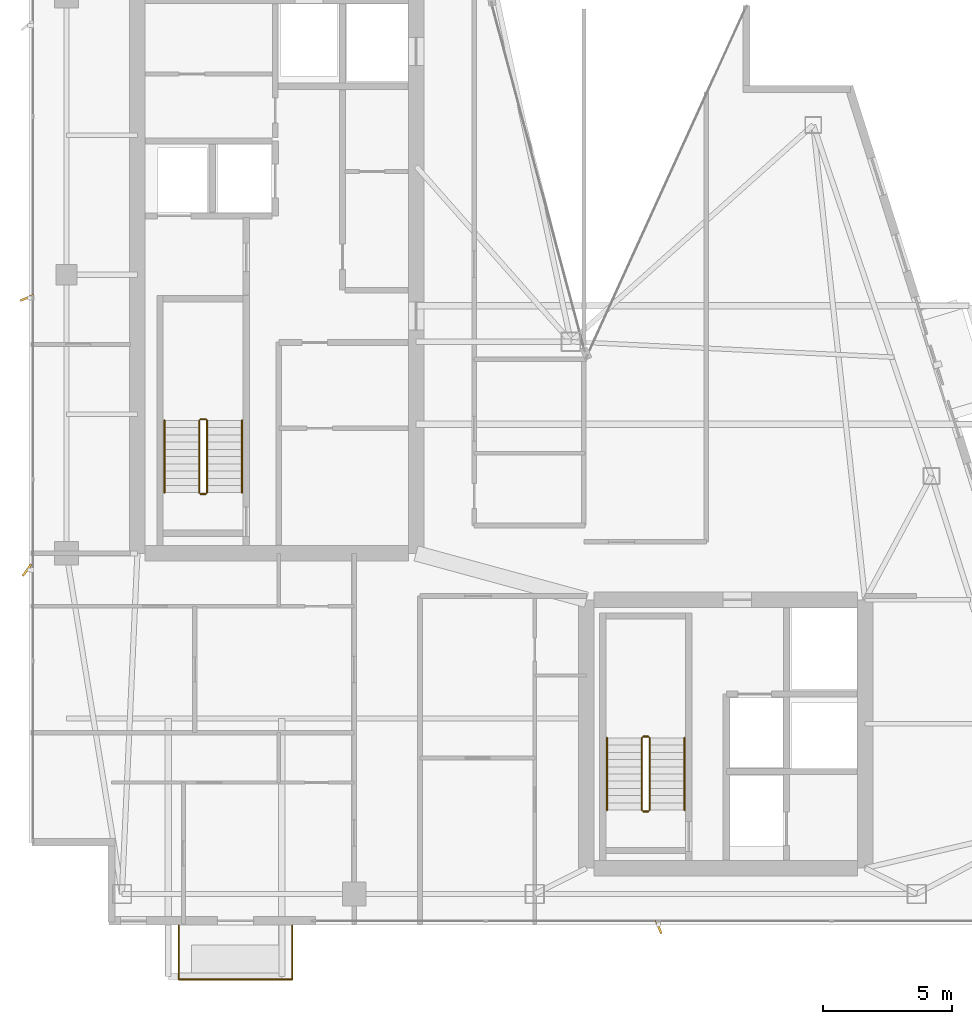
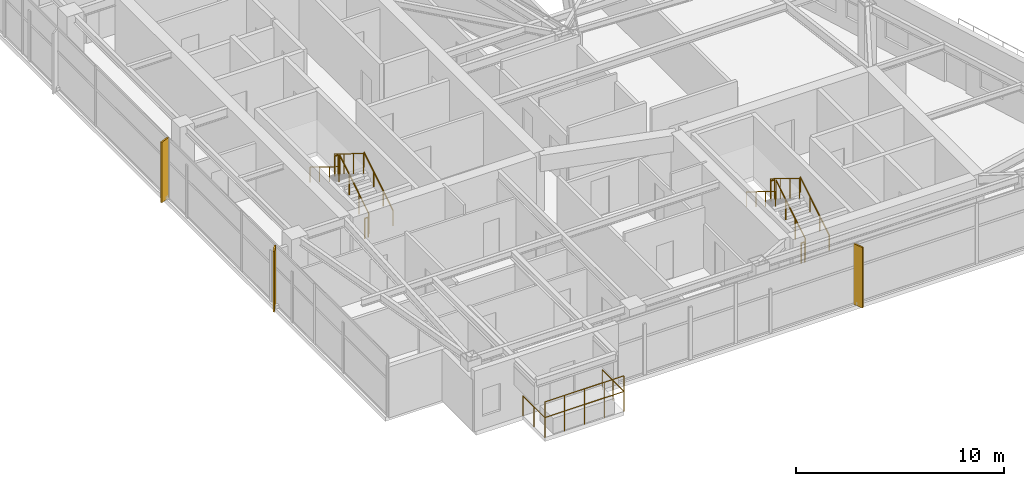
# One storey, part 26 of 27: 14 railings, 3 shading devices.
"""IFC4 building model written with IfcOpenShell, lengths in metres."""

from ifc_helpers import new_model, si_unit, direction, frame, origin, origin_2d, place, context, subcontext, project, spatial, rectangle, circle, extrude, material, type_object, element, save


model = new_model("IFC4")

# Units and contexts
model_context = context("Model", 3, precision=1e-05, world=origin(), true_north=direction((0.0, 1.0)))
body_context = subcontext(model_context, "Body", "Model", "MODEL_VIEW")
ifc_project = project(units=[si_unit("LENGTHUNIT", "METRE"), si_unit("AREAUNIT", "SQUARE_METRE"), si_unit("VOLUMEUNIT", "CUBIC_METRE"), si_unit("PLANEANGLEUNIT", "RADIAN"), si_unit("MASSUNIT", "GRAM", prefix="KILO")], contexts=[model_context])

# Site, building, storey
site_placement = place(None, origin())
site = spatial("IfcSite", under=ifc_project, at=site_placement, CompositionType="ELEMENT")
building_placement = place(site_placement, origin())
building = spatial("IfcBuilding", under=site, at=building_placement, Name="Calvorn Quay Hotel", CompositionType="ELEMENT")
storey_placement = place(building_placement, frame((0.0, 0.0, 298.699951171875)))
storey = spatial("IfcBuildingStorey", under=building, at=storey_placement, Name="L74", CompositionType="ELEMENT", Elevation=298.699951171875)

# Railings
ifc_material_1 = material(Name="Pale Anodised Aluminium and Laminated Glass", Category="aluminium")
railing_type_1 = type_object("IfcRailingType", Name="RLG-BALUSTRADE-1200", PredefinedType="BALUSTRADE", material=ifc_material_1)
railing_1_placement = place(storey_placement, frame((5.800048828125, 2.389892578125, 0.0)))
element("IfcRailing", 1, at=railing_1_placement, inside=storey, type_object=railing_type_1, Name="Tree Balcony Perimeter Balustrade L74-BALC-S", PredefinedType="BALUSTRADE", context=body_context, shape_type="SweptSolid", body=[
    extrude(circle(Radius=0.02392578125, at=origin_2d()), frame((0.0, 0.0, 1.17578125), z_axis=(0.0, -1.0, 0.0), x_axis=(1.0, 0.0, 0.0)), (0.0, 0.0, 1.0), 2.099853515625),
    extrude(circle(Radius=0.02392578125, at=origin_2d()), frame((0.0, -2.099853515625, 1.17578125), z_axis=(1.0, 0.0, 0.0), x_axis=(0.0, 1.0, 0.0)), (0.0, 0.0, 1.0), 4.39990234375),
    extrude(circle(Radius=0.02392578125, at=origin_2d()), frame((4.39990234375, -2.099853515625, 1.17578125), z_axis=(0.0, 1.0, 0.0), x_axis=(-1.0, 0.0, 0.0)), (0.0, 0.0, 1.0), 2.099853515625),
    extrude(circle(Radius=0.02099609375, at=origin_2d()), origin(), (0.0, 0.0, 1.0), 1.15185546875),
    extrude(circle(Radius=0.02099609375, at=origin_2d()), frame((0.0, -1.0498046875, 0.0)), (0.0, 0.0, 1.0), 1.15185546875),
    extrude(circle(Radius=0.02099609375, at=origin_2d()), frame((0.0, -2.099853515625, 0.0)), (0.0, 0.0, 1.0), 1.15185546875),
    extrude(circle(Radius=0.02099609375, at=origin_2d()), frame((1.10009765625, -2.099853515625, 0.0)), (0.0, 0.0, 1.0), 1.15185546875),
    extrude(circle(Radius=0.02099609375, at=origin_2d()), frame((2.199951171875, -2.099853515625, 0.0)), (0.0, 0.0, 1.0), 1.15185546875),
    extrude(circle(Radius=0.02099609375, at=origin_2d()), frame((3.2998046875, -2.099853515625, 0.0)), (0.0, 0.0, 1.0), 1.15185546875),
    extrude(circle(Radius=0.02099609375, at=origin_2d()), frame((4.39990234375, -2.099853515625, 0.0)), (0.0, 0.0, 1.0), 1.15185546875),
    extrude(circle(Radius=0.02099609375, at=origin_2d()), frame((4.39990234375, -1.0498046875, 0.0)), (0.0, 0.0, 1.0), 1.15185546875),
    extrude(circle(Radius=0.02099609375, at=origin_2d()), frame((4.39990234375, 0.0, 0.0)), (0.0, 0.0, 1.0), 1.15185546875),
])
railing_2_placement = place(storey_placement, frame((5.800048828125, 0.2900390625, 0.900146484375)))
element("IfcRailing", 2, at=railing_2_placement, inside=storey, type_object=railing_type_1, Name="Planter Kerb High Safety Screen L74-BALC-S", PredefinedType="BALUSTRADE", context=body_context, shape_type="SweptSolid", body=[
    extrude(circle(Radius=0.02392578125, at=origin_2d()), frame((0.0, 0.0, 1.19580078125), z_axis=(1.0, 0.0, 0.0), x_axis=(0.0, 1.0, 0.0)), (0.0, 0.0, 1.0), 4.39990234375),
    extrude(circle(Radius=0.02099609375, at=origin_2d()), origin(), (0.0, 0.0, 1.0), 1.171875),
    extrude(circle(Radius=0.02099609375, at=origin_2d()), frame((1.10009765625, 0.0, 0.0)), (0.0, 0.0, 1.0), 1.171875),
    extrude(circle(Radius=0.02099609375, at=origin_2d()), frame((2.199951171875, 0.0, 0.0)), (0.0, 0.0, 1.0), 1.171875),
    extrude(circle(Radius=0.02099609375, at=origin_2d()), frame((3.2998046875, 0.0, 0.0)), (0.0, 0.0, 1.0), 1.171875),
    extrude(circle(Radius=0.02099609375, at=origin_2d()), frame((4.39990234375, 0.0, 0.0)), (0.0, 0.0, 1.0), 1.171875),
])
ifc_material_2 = material(Name="Brushed Stainless Steel Handrail", Category="steel")
railing_type_2 = type_object("IfcRailingType", Name="RLG-HANDRAIL-900", PredefinedType="HANDRAIL", material=ifc_material_2)
railing_3_placement = place(storey_placement, frame((8.25, 19.14990234375, 0.1728515625)))
element("IfcRailing", 3, at=railing_3_placement, inside=storey, type_object=railing_type_2, Name="L74 ST-W stair handrail 1", PredefinedType="HANDRAIL", context=body_context, shape_type="SweptSolid", body=[
    extrude(circle(Radius=0.02392578125, at=origin_2d()), frame((0.0, 0.0, 0.8759765625), z_axis=(0.0, 0.851089632645, 0.525020415988), x_axis=(-1.0, 0.0, 0.0)), (0.0, 0.0, 1.0), 3.2900390625),
    extrude(circle(Radius=0.02099609375, at=origin_2d()), origin(), (0.0, 0.0, 1.0), 0.851806640625),
    extrude(circle(Radius=0.02099609375, at=origin_2d()), frame((0.0, 0.933349609375, 0.57568359375)), (0.0, 0.0, 1.0), 0.851806640625),
    extrude(circle(Radius=0.02099609375, at=origin_2d()), frame((0.0, 1.86669921875, 1.151611328125)), (0.0, 0.0, 1.0), 0.851806640625),
    extrude(circle(Radius=0.02099609375, at=origin_2d()), frame((0.0, 2.800048828125, 1.727294921875)), (0.0, 0.0, 1.0), 0.851806640625),
])
railing_4_placement = place(storey_placement, frame((5.25, 21.949951171875, 2.07275390625)))
element("IfcRailing", 4, at=railing_4_placement, inside=storey, type_object=railing_type_2, Name="L74 ST-W stair handrail 2", PredefinedType="HANDRAIL", context=body_context, shape_type="SweptSolid", body=[
    extrude(circle(Radius=0.02392578125, at=origin_2d()), frame((0.0, 0.0, 0.8759765625), z_axis=(0.0, -0.851089632645, 0.525020415988), x_axis=(1.0, 0.0, 0.0)), (0.0, 0.0, 1.0), 3.2900390625),
    extrude(circle(Radius=0.02099609375, at=origin_2d()), origin(), (0.0, 0.0, 1.0), 0.851806640625),
    extrude(circle(Radius=0.02099609375, at=origin_2d()), frame((0.0, -0.933349609375, 0.57568359375)), (0.0, 0.0, 1.0), 0.851806640625),
    extrude(circle(Radius=0.02099609375, at=origin_2d()), frame((0.0, -1.86669921875, 1.151611328125)), (0.0, 0.0, 1.0), 0.851806640625),
    extrude(circle(Radius=0.02099609375, at=origin_2d()), frame((0.0, -2.800048828125, 1.727294921875)), (0.0, 0.0, 1.0), 0.851806640625),
])
railing_5_placement = place(storey_placement, frame((25.39990234375, 6.85009765625, 0.1728515625)))
element("IfcRailing", 5, at=railing_5_placement, inside=storey, type_object=railing_type_2, Name="L74 ST-E stair handrail 1", PredefinedType="HANDRAIL", context=body_context, shape_type="SweptSolid", body=[
    extrude(circle(Radius=0.02392578125, at=origin_2d()), frame((0.0, 0.0, 0.8759765625), z_axis=(0.0, 0.851069175582, 0.525053576669), x_axis=(-1.0, 0.0, 0.0)), (0.0, 0.0, 1.0), 3.289794921875),
    extrude(circle(Radius=0.02099609375, at=origin_2d()), origin(), (0.0, 0.0, 1.0), 0.851806640625),
    extrude(circle(Radius=0.02099609375, at=origin_2d()), frame((0.0, 0.933349609375, 0.57568359375)), (0.0, 0.0, 1.0), 0.851806640625),
    extrude(circle(Radius=0.02099609375, at=origin_2d()), frame((0.0, 1.866455078125, 1.151611328125)), (0.0, 0.0, 1.0), 0.851806640625),
    extrude(circle(Radius=0.02099609375, at=origin_2d()), frame((0.0, 2.7998046875, 1.727294921875)), (0.0, 0.0, 1.0), 0.851806640625),
])
railing_6_placement = place(storey_placement, frame((22.39990234375, 9.64990234375, 2.07275390625)))
element("IfcRailing", 6, at=railing_6_placement, inside=storey, type_object=railing_type_2, Name="L74 ST-E stair handrail 2", PredefinedType="HANDRAIL", context=body_context, shape_type="SweptSolid", body=[
    extrude(circle(Radius=0.02392578125, at=origin_2d()), frame((0.0, 0.0, 0.8759765625), z_axis=(0.0, -0.851069175582, 0.525053576669), x_axis=(1.0, 0.0, 0.0)), (0.0, 0.0, 1.0), 3.289794921875),
    extrude(circle(Radius=0.02099609375, at=origin_2d()), origin(), (0.0, 0.0, 1.0), 0.851806640625),
    extrude(circle(Radius=0.02099609375, at=origin_2d()), frame((0.0, -0.933349609375, 0.57568359375)), (0.0, 0.0, 1.0), 0.851806640625),
    extrude(circle(Radius=0.02099609375, at=origin_2d()), frame((0.0, -1.866455078125, 1.151611328125)), (0.0, 0.0, 1.0), 0.851806640625),
    extrude(circle(Radius=0.02099609375, at=origin_2d()), frame((0.0, -2.7998046875, 1.727294921875)), (0.0, 0.0, 1.0), 0.851806640625),
])
ifc_material_3 = material(Name="Painted Galvanised Steel Balustrade", Category="steel")
railing_type_3 = type_object("IfcRailingType", Name="RLG-STAIR-GUARD-1120", PredefinedType="GUARDRAIL", material=ifc_material_3)
railing_7_placement = place(storey_placement, frame((6.89990234375, 19.14990234375, 0.1728515625)))
element("IfcRailing", 7, at=railing_7_placement, inside=storey, type_object=railing_type_3, Name="L74 ST-W stair guard 1", PredefinedType="GUARDRAIL", context=body_context, shape_type="SweptSolid", body=[
    extrude(circle(Radius=0.02392578125, at=origin_2d()), frame((0.0, 0.0, 1.17578125), z_axis=(0.0, 0.851089632645, 0.525020415988), x_axis=(-1.0, 0.0, 0.0)), (0.0, 0.0, 1.0), 3.2900390625),
    extrude(circle(Radius=0.02099609375, at=origin_2d()), origin(), (0.0, 0.0, 1.0), 1.15185546875),
    extrude(circle(Radius=0.02099609375, at=origin_2d()), frame((0.0, 0.933349609375, 0.57568359375)), (0.0, 0.0, 1.0), 1.15185546875),
    extrude(circle(Radius=0.02099609375, at=origin_2d()), frame((0.0, 1.86669921875, 1.151611328125)), (0.0, 0.0, 1.0), 1.15185546875),
    extrude(circle(Radius=0.02099609375, at=origin_2d()), frame((0.0, 2.800048828125, 1.727294921875)), (0.0, 0.0, 1.0), 1.15185546875),
])
railing_8_placement = place(storey_placement, frame((6.85009765625, 22.0, 1.900146484375)))
element("IfcRailing", 8, at=railing_8_placement, inside=storey, type_object=railing_type_3, Name="L74 ST-W stair guard 2", PredefinedType="GUARDRAIL", context=body_context, shape_type="SweptSolid", body=[
    extrude(circle(Radius=0.02392578125, at=origin_2d()), frame((0.0, 0.0, 1.17578125), z_axis=(-1.0, 0.0, 0.0), x_axis=(0.0, -1.0, 0.0)), (0.0, 0.0, 1.0), 0.2001953125),
    extrude(circle(Radius=0.02099609375, at=origin_2d()), origin(), (0.0, 0.0, 1.0), 1.15185546875),
    extrude(circle(Radius=0.02099609375, at=origin_2d()), frame((-0.2001953125, 0.0, 0.0)), (0.0, 0.0, 1.0), 1.15185546875),
])
railing_9_placement = place(storey_placement, frame((6.60009765625, 21.949951171875, 2.07275390625)))
element("IfcRailing", 9, at=railing_9_placement, inside=storey, type_object=railing_type_3, Name="L74 ST-W stair guard 3", PredefinedType="GUARDRAIL", context=body_context, shape_type="SweptSolid", body=[
    extrude(circle(Radius=0.02392578125, at=origin_2d()), frame((0.0, 0.0, 1.17578125), z_axis=(0.0, -0.851089632645, 0.525020415988), x_axis=(1.0, 0.0, 0.0)), (0.0, 0.0, 1.0), 3.2900390625),
    extrude(circle(Radius=0.02099609375, at=origin_2d()), origin(), (0.0, 0.0, 1.0), 1.15185546875),
    extrude(circle(Radius=0.02099609375, at=origin_2d()), frame((0.0, -0.933349609375, 0.57568359375)), (0.0, 0.0, 1.0), 1.15185546875),
    extrude(circle(Radius=0.02099609375, at=origin_2d()), frame((0.0, -1.86669921875, 1.151611328125)), (0.0, 0.0, 1.0), 1.15185546875),
    extrude(circle(Radius=0.02099609375, at=origin_2d()), frame((0.0, -2.800048828125, 1.727294921875)), (0.0, 0.0, 1.0), 1.15185546875),
])
railing_10_placement = place(storey_placement, frame((6.85009765625, 19.10009765625, 0.0)))
element("IfcRailing", 10, at=railing_10_placement, inside=storey, type_object=railing_type_3, Name="L74 ST-W stair guard 4", PredefinedType="GUARDRAIL", context=body_context, shape_type="SweptSolid", body=[
    extrude(circle(Radius=0.02392578125, at=origin_2d()), frame((0.0, 0.0, 1.17578125), z_axis=(-1.0, 0.0, 0.0), x_axis=(0.0, -1.0, 0.0)), (0.0, 0.0, 1.0), 0.2001953125),
    extrude(circle(Radius=0.02099609375, at=origin_2d()), origin(), (0.0, 0.0, 1.0), 1.15185546875),
    extrude(circle(Radius=0.02099609375, at=origin_2d()), frame((-0.2001953125, 0.0, 0.0)), (0.0, 0.0, 1.0), 1.15185546875),
])
railing_11_placement = place(storey_placement, frame((24.050048828125, 6.85009765625, 0.1728515625)))
element("IfcRailing", 11, at=railing_11_placement, inside=storey, type_object=railing_type_3, Name="L74 ST-E stair guard 1", PredefinedType="GUARDRAIL", context=body_context, shape_type="SweptSolid", body=[
    extrude(circle(Radius=0.02392578125, at=origin_2d()), frame((0.0, 0.0, 1.17578125), z_axis=(0.0, 0.851069175582, 0.525053576669), x_axis=(-1.0, 0.0, 0.0)), (0.0, 0.0, 1.0), 3.289794921875),
    extrude(circle(Radius=0.02099609375, at=origin_2d()), origin(), (0.0, 0.0, 1.0), 1.15185546875),
    extrude(circle(Radius=0.02099609375, at=origin_2d()), frame((0.0, 0.933349609375, 0.57568359375)), (0.0, 0.0, 1.0), 1.15185546875),
    extrude(circle(Radius=0.02099609375, at=origin_2d()), frame((0.0, 1.866455078125, 1.151611328125)), (0.0, 0.0, 1.0), 1.15185546875),
    extrude(circle(Radius=0.02099609375, at=origin_2d()), frame((0.0, 2.7998046875, 1.727294921875)), (0.0, 0.0, 1.0), 1.15185546875),
])
railing_12_placement = place(storey_placement, frame((24.0, 9.699951171875, 1.900146484375)))
element("IfcRailing", 12, at=railing_12_placement, inside=storey, type_object=railing_type_3, Name="L74 ST-E stair guard 2", PredefinedType="GUARDRAIL", context=body_context, shape_type="SweptSolid", body=[
    extrude(circle(Radius=0.02392578125, at=origin_2d()), frame((0.0, 0.0, 1.17578125), z_axis=(-1.0, 0.0, 0.0), x_axis=(0.0, -1.0, 0.0)), (0.0, 0.0, 1.0), 0.199951171875),
    extrude(circle(Radius=0.02099609375, at=origin_2d()), origin(), (0.0, 0.0, 1.0), 1.15185546875),
    extrude(circle(Radius=0.02099609375, at=origin_2d()), frame((-0.199951171875, 0.0, 0.0)), (0.0, 0.0, 1.0), 1.15185546875),
])
railing_13_placement = place(storey_placement, frame((23.75, 9.64990234375, 2.07275390625)))
element("IfcRailing", 13, at=railing_13_placement, inside=storey, type_object=railing_type_3, Name="L74 ST-E stair guard 3", PredefinedType="GUARDRAIL", context=body_context, shape_type="SweptSolid", body=[
    extrude(circle(Radius=0.02392578125, at=origin_2d()), frame((0.0, 0.0, 1.17578125), z_axis=(0.0, -0.851069175582, 0.525053576669), x_axis=(1.0, 0.0, 0.0)), (0.0, 0.0, 1.0), 3.289794921875),
    extrude(circle(Radius=0.02099609375, at=origin_2d()), origin(), (0.0, 0.0, 1.0), 1.15185546875),
    extrude(circle(Radius=0.02099609375, at=origin_2d()), frame((0.0, -0.933349609375, 0.57568359375)), (0.0, 0.0, 1.0), 1.15185546875),
    extrude(circle(Radius=0.02099609375, at=origin_2d()), frame((0.0, -1.866455078125, 1.151611328125)), (0.0, 0.0, 1.0), 1.15185546875),
    extrude(circle(Radius=0.02099609375, at=origin_2d()), frame((0.0, -2.7998046875, 1.727294921875)), (0.0, 0.0, 1.0), 1.15185546875),
])
railing_14_placement = place(storey_placement, frame((24.0, 6.800048828125, 0.0)))
element("IfcRailing", 14, at=railing_14_placement, inside=storey, type_object=railing_type_3, Name="L74 ST-E stair guard 4", PredefinedType="GUARDRAIL", context=body_context, shape_type="SweptSolid", body=[
    extrude(circle(Radius=0.02392578125, at=origin_2d()), frame((0.0, 0.0, 1.17578125), z_axis=(-1.0, 0.0, 0.0), x_axis=(0.0, -1.0, 0.0)), (0.0, 0.0, 1.0), 0.199951171875),
    extrude(circle(Radius=0.02099609375, at=origin_2d()), origin(), (0.0, 0.0, 1.0), 1.15185546875),
    extrude(circle(Radius=0.02099609375, at=origin_2d()), frame((-0.199951171875, 0.0, 0.0)), (0.0, 0.0, 1.0), 1.15185546875),
])

# Shading devices
ifc_material_4 = material(Name="Champagne Bronze Anodised Aluminium 6063-T6", Category="aluminium")
shading_device_type_1 = type_object("IfcShadingDeviceType", Name="SHD-FIN-A1", PredefinedType="USERDEFINED", material=ifc_material_4)
for number, where, z_axis, x_axis, name in (
    (15, (-0.080078125, 26.699951171875, 0.0), (0.0, 0.0, 1.0), (0.927183854567, 0.374606593416, 0.0), "Diagonal Sun-Shading Fin L74-W02"),
    (16, (24.39990234375, 2.320068359375, 0.0), (0.0, 0.0, 1.0), (-0.374606593416, 0.927183854567, 0.0), "Diagonal Sun-Shading Fin L74-S01"),
):
    element("IfcShadingDevice", number, at=place(storey_placement, frame(where, z_axis=z_axis, x_axis=x_axis)), inside=storey, type_object=shading_device_type_1, Name=name, ObjectType="FIN", PredefinedType="USERDEFINED", context=body_context, shape_type="SweptSolid", body=[
        extrude(rectangle(XDim=0.550048828125, YDim=0.080078125, at=origin_2d()), origin(), (0.0, 0.0, 1.0), 3.56005859375),
    ])
ifc_material_5 = material(Name="Champagne Bronze Anodised Aluminium 6063-T6", Category="aluminium")
shading_device_type_2 = type_object("IfcShadingDeviceType", Name="SHD-FIN-A3", PredefinedType="USERDEFINED", material=ifc_material_5)
shading_device_placement = place(storey_placement, frame((-0.080078125, 16.14990234375, 0.0), z_axis=(0.0, 0.0, 1.0), x_axis=(0.587785252292, 0.809016994375, 0.0)))
element("IfcShadingDevice", 17, at=shading_device_placement, inside=storey, type_object=shading_device_type_2, Name="Diagonal Sun-Shading Fin L74-W01", ObjectType="FIN", PredefinedType="USERDEFINED", context=body_context, shape_type="SweptSolid", body=[
    extrude(rectangle(XDim=0.550048828125, YDim=0.080078125, at=origin_2d()), origin(), (0.0, 0.0, 1.0), 3.56005859375),
])

save(model, "model.ifc")
